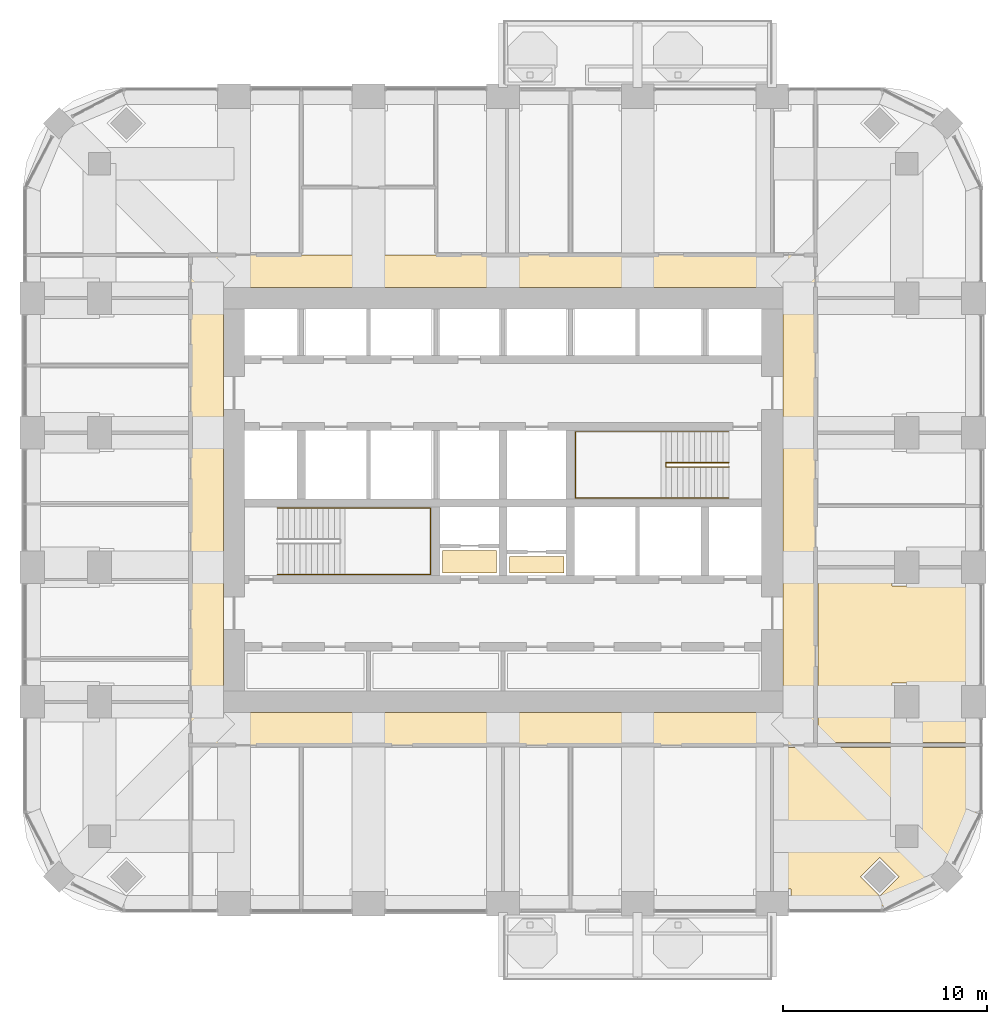
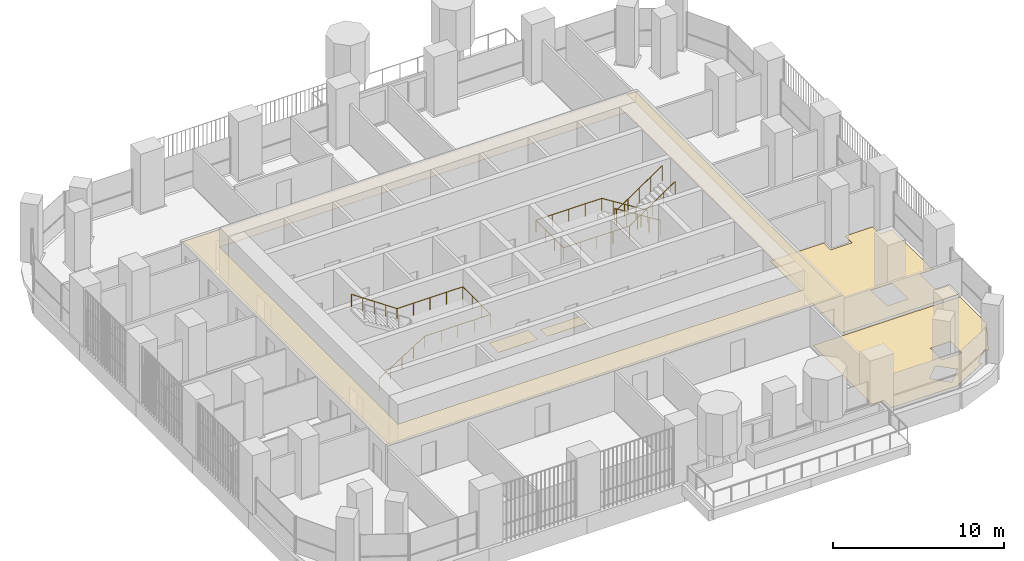
# One storey, part 18 of 20: 5 coverings, 3 railings.
"""IFC4 building model written with IfcOpenShell, lengths in metres."""

from ifc_helpers import new_model, si_unit, direction, frame, origin, place, context, subcontext, project, spatial, polyline, outline, extrude, material, layer, layer_set, type_object, element, save


model = new_model("IFC4")

# Units and contexts
model_context = context("Model", 3, precision=1e-05, world=origin(), true_north=direction((0.0, 1.0)))
body_context = subcontext(model_context, "Body", "Model", "MODEL_VIEW")
ifc_project = project(units=[si_unit("LENGTHUNIT", "METRE"), si_unit("AREAUNIT", "SQUARE_METRE"), si_unit("VOLUMEUNIT", "CUBIC_METRE"), si_unit("PLANEANGLEUNIT", "RADIAN"), si_unit("MASSUNIT", "GRAM", prefix="KILO")], contexts=[model_context])

# Site, building, storey
site_placement = place(None, origin())
site = spatial("IfcSite", under=ifc_project, at=site_placement, CompositionType="ELEMENT")
building_placement = place(site_placement, origin())
building = spatial("IfcBuilding", under=site, at=building_placement, Name="Cobogo Forest Laboratory Tower", CompositionType="ELEMENT")
storey_placement = place(building_placement, frame((0.0, 0.0, 214.5)))
storey = spatial("IfcBuildingStorey", under=building, at=storey_placement, Name="L49", CompositionType="ELEMENT", Elevation=214.5)

# Coverings
ifc_material_1 = material(Name="Mineral fibre ceiling tile", Category="ceiling")
ifc_layer_1 = layer(ifc_material_1, 0.02001953125)
ifc_layer_set_1 = layer_set([ifc_layer_1], Name="CL1 suspended ceiling")
covering_type_1 = type_object("IfcCoveringType", Name="CL1 suspended ceiling", PredefinedType="CEILING", material=ifc_layer_set_1)
covering_1_placement = place(storey_placement, frame((0.0, 0.0, 2.800048828125)))
element("IfcCovering", 1, at=covering_1_placement, inside=storey, type_object=covering_type_1, Name="Corridor ceiling L49", PredefinedType="CEILING", context=body_context, shape_type="SweptSolid", body=[
    extrude(outline(polyline([(11.074951171875, 11.074951171875), (11.074951171875, 35.125), (41.72509765625, 35.125), (41.72509765625, 11.074951171875), (11.074951171875, 11.074951171875)]), holes=[polyline([(40.125, 33.52490234375), (12.675048828125, 33.52490234375), (12.675048828125, 12.675048828125), (40.125, 12.675048828125), (40.125, 33.52490234375)])]), origin(), (0.0, 0.0, 1.0), 0.02001953125),
])
ifc_material_2 = material(Name="Carpet tile on raised access floor", Category="flooring")
ifc_layer_2 = layer(ifc_material_2, 0.008056640625)
ifc_layer_set_2 = layer_set([ifc_layer_2], Name="CT1 carpet tile floor 8")
covering_type_2 = type_object("IfcCoveringType", Name="CT1 carpet tile floor 8", PredefinedType="FLOORING", material=ifc_layer_set_2)
covering_2_placement = place(storey_placement, origin())
element("IfcCovering", 2, at=covering_2_placement, inside=storey, type_object=covering_type_2, Name="Carpet floor L49-05", PredefinedType="FLOORING", context=body_context, shape_type="SweptSolid", body=[
    extrude(outline(polyline([(49.64990234375, 10.955078125), (49.64990234375, 7.84912109375), (48.359619140625, 5.387939453125), (48.181884765625, 5.5654296875), (47.234375, 4.617919921875), (47.412109375, 4.440185546875), (44.95068359375, 3.14990234375), (40.52001953125, 3.14990234375), (40.52001953125, 4.02001953125), (39.719970703125, 4.02001953125), (39.719970703125, 10.955078125), (49.64990234375, 10.955078125)]), holes=[polyline([(45.530029296875, 5.929931640625), (46.8701171875, 5.929931640625), (46.8701171875, 7.27001953125), (45.530029296875, 7.27001953125), (45.530029296875, 5.929931640625)]), polyline([(44.882080078125, 3.67041015625), (45.82958984375, 4.617919921875), (44.882080078125, 5.5654296875), (43.9345703125, 4.617919921875), (44.882080078125, 3.67041015625)])]), origin(), (0.0, 0.0, 1.0), 0.008056640625),
])
covering_3_placement = place(storey_placement, origin())
element("IfcCovering", 3, at=covering_3_placement, inside=storey, type_object=covering_type_2, Name="Carpet floor L49-06", PredefinedType="FLOORING", context=body_context, shape_type="SweptSolid", body=[
    extrude(outline(polyline([(41.844970703125, 19.679931640625), (45.47998046875, 19.679931640625), (45.47998046875, 18.8798828125), (46.919921875, 18.8798828125), (46.919921875, 19.679931640625), (48.780029296875, 19.679931640625), (48.780029296875, 18.8798828125), (49.64990234375, 18.8798828125), (49.64990234375, 14.1201171875), (48.780029296875, 14.1201171875), (48.780029296875, 12.280029296875), (49.64990234375, 12.280029296875), (49.64990234375, 11.195068359375), (41.844970703125, 11.195068359375), (41.844970703125, 19.679931640625)]), holes=[polyline([(46.919921875, 12.280029296875), (46.919921875, 14.1201171875), (45.47998046875, 14.1201171875), (45.47998046875, 12.280029296875), (46.919921875, 12.280029296875)])]), origin(), (0.0, 0.0, 1.0), 0.008056640625),
])
covering_4_placement = place(storey_placement, origin())
element("IfcCovering", 4, at=covering_4_placement, inside=storey, type_object=covering_type_2, Name="Carpet floor L49-30", PredefinedType="FLOORING", context=body_context, shape_type="SweptSolid", body=[
    extrude(outline(polyline([(26.080078125, 19.52001953125), (23.419921875, 19.52001953125), (23.419921875, 20.6298828125), (26.080078125, 20.6298828125), (26.080078125, 19.52001953125)])), origin(), (0.0, 0.0, 1.0), 0.008056640625),
])
covering_5_placement = place(storey_placement, origin())
element("IfcCovering", 5, at=covering_5_placement, inside=storey, type_object=covering_type_2, Name="Carpet floor L49-32", PredefinedType="FLOORING", context=body_context, shape_type="SweptSolid", body=[
    extrude(outline(polyline([(29.3798828125, 19.52001953125), (26.719970703125, 19.52001953125), (26.719970703125, 20.330078125), (29.3798828125, 20.330078125), (29.3798828125, 19.52001953125)])), origin(), (0.0, 0.0, 1.0), 0.008056640625),
])

# Railings
ifc_material_3 = material(Name="Steel balustrade", Category="steel")
railing_type_1 = type_object("IfcRailingType", Name="GR stair guard 1100", PredefinedType="GUARDRAIL", material=ifc_material_3)
railing_1_placement = place(storey_placement, frame((37.47509765625, 24.929931640625, 0.175048828125)))
element("IfcRailing", 6, at=railing_1_placement, inside=storey, type_object=railing_type_1, Name="Stair guard ST2 L49", PredefinedType="GUARDRAIL", context=body_context, shape_type="SweptSolid", body=[
    extrude(outline(polyline([(0.022216796875, 0.00927734375), (0.00927734375, 0.022216796875), (-0.00927734375, 0.022216796875), (-0.022216796875, 0.00927734375), (-0.022216796875, -0.00927734375), (-0.00927734375, -0.022216796875), (0.00927734375, -0.022216796875), (0.022216796875, -0.00927734375), (0.022216796875, 0.00927734375)])), frame((0.0, 0.0, 1.077880859375), z_axis=(-0.847998304005, 0.0, 0.529998940003), x_axis=(0.0, -1.0, 0.0)), (0.0, 0.0, 1.0), 3.632080078125),
    extrude(outline(polyline([(0.022216796875, 0.00927734375), (0.00927734375, 0.022216796875), (-0.00927734375, 0.022216796875), (-0.022216796875, 0.00927734375), (-0.022216796875, -0.00927734375), (-0.00927734375, -0.022216796875), (0.00927734375, -0.022216796875), (0.022216796875, -0.00927734375), (0.022216796875, 0.00927734375)])), frame((-3.080078125, 0.0, 3.0029296875), z_axis=(0.0, -1.0, 0.0), x_axis=(1.0, 0.0, 0.0)), (0.0, 0.0, 1.0), 0.2099609375),
    extrude(outline(polyline([(0.022216796875, 0.00927734375), (0.00927734375, 0.022216796875), (-0.00927734375, 0.022216796875), (-0.022216796875, 0.00927734375), (-0.022216796875, -0.00927734375), (-0.00927734375, -0.022216796875), (0.00927734375, -0.022216796875), (0.022216796875, -0.00927734375), (0.022216796875, 0.00927734375)])), frame((-3.080078125, -0.2099609375, 3.0029296875), z_axis=(0.826252282691, 0.0, 0.563300244406), x_axis=(0.0, 1.0, 0.0)), (0.0, 0.0, 1.0), 3.727783203125),
    extrude(outline(polyline([(0.019287109375, 0.008056640625), (0.008056640625, 0.019287109375), (-0.008056640625, 0.019287109375), (-0.019287109375, 0.008056640625), (-0.019287109375, -0.008056640625), (-0.008056640625, -0.019287109375), (0.008056640625, -0.019287109375), (0.019287109375, -0.008056640625), (0.019287109375, 0.008056640625)])), origin(), (0.0, 0.0, 1.0), 1.077880859375),
    extrude(outline(polyline([(0.019287109375, 0.008056640625), (0.008056640625, 0.019287109375), (-0.008056640625, 0.019287109375), (-0.019287109375, 0.008056640625), (-0.019287109375, -0.008056640625), (-0.008056640625, -0.019287109375), (0.008056640625, -0.019287109375), (0.019287109375, -0.008056640625), (0.019287109375, 0.008056640625)])), frame((-0.77001953125, 0.0, 0.481201171875)), (0.0, 0.0, 1.0), 1.077880859375),
    extrude(outline(polyline([(0.019287109375, 0.008056640625), (0.008056640625, 0.019287109375), (-0.008056640625, 0.019287109375), (-0.019287109375, 0.008056640625), (-0.019287109375, -0.008056640625), (-0.008056640625, -0.019287109375), (0.008056640625, -0.019287109375), (0.019287109375, -0.008056640625), (0.019287109375, 0.008056640625)])), frame((-1.5400390625, 0.0, 0.96240234375)), (0.0, 0.0, 1.0), 1.077880859375),
    extrude(outline(polyline([(0.019287109375, 0.008056640625), (0.008056640625, 0.019287109375), (-0.008056640625, 0.019287109375), (-0.019287109375, 0.008056640625), (-0.019287109375, -0.008056640625), (-0.008056640625, -0.019287109375), (0.008056640625, -0.019287109375), (0.019287109375, -0.008056640625), (0.019287109375, 0.008056640625)])), frame((-2.31005859375, 0.0, 1.44384765625)), (0.0, 0.0, 1.0), 1.077880859375),
    extrude(outline(polyline([(0.019287109375, 0.008056640625), (0.008056640625, 0.019287109375), (-0.008056640625, 0.019287109375), (-0.019287109375, 0.008056640625), (-0.019287109375, -0.008056640625), (-0.008056640625, -0.019287109375), (0.008056640625, -0.019287109375), (0.019287109375, -0.008056640625), (0.019287109375, 0.008056640625)])), frame((-3.080078125, 0.0, 1.925048828125)), (0.0, 0.0, 1.0), 1.077880859375),
    extrude(outline(polyline([(0.019287109375, 0.008056640625), (0.008056640625, 0.019287109375), (-0.008056640625, 0.019287109375), (-0.019287109375, 0.008056640625), (-0.019287109375, -0.008056640625), (-0.008056640625, -0.019287109375), (0.008056640625, -0.019287109375), (0.019287109375, -0.008056640625), (0.019287109375, 0.008056640625)])), frame((-3.080078125, -0.2099609375, 1.925048828125)), (0.0, 0.0, 1.0), 1.077880859375),
    extrude(outline(polyline([(0.019287109375, 0.008056640625), (0.008056640625, 0.019287109375), (-0.008056640625, 0.019287109375), (-0.019287109375, 0.008056640625), (-0.019287109375, -0.008056640625), (-0.008056640625, -0.019287109375), (0.008056640625, -0.019287109375), (0.019287109375, -0.008056640625), (0.019287109375, 0.008056640625)])), frame((-2.31005859375, -0.2099609375, 2.449951171875)), (0.0, 0.0, 1.0), 1.077880859375),
    extrude(outline(polyline([(0.019287109375, 0.008056640625), (0.008056640625, 0.019287109375), (-0.008056640625, 0.019287109375), (-0.019287109375, 0.008056640625), (-0.019287109375, -0.008056640625), (-0.008056640625, -0.019287109375), (0.008056640625, -0.019287109375), (0.019287109375, -0.008056640625), (0.019287109375, 0.008056640625)])), frame((-1.5400390625, -0.2099609375, 2.97509765625)), (0.0, 0.0, 1.0), 1.077880859375),
    extrude(outline(polyline([(0.019287109375, 0.008056640625), (0.008056640625, 0.019287109375), (-0.008056640625, 0.019287109375), (-0.019287109375, 0.008056640625), (-0.019287109375, -0.008056640625), (-0.008056640625, -0.019287109375), (0.008056640625, -0.019287109375), (0.019287109375, -0.008056640625), (0.019287109375, 0.008056640625)])), frame((-0.77001953125, -0.2099609375, 3.5)), (0.0, 0.0, 1.0), 1.077880859375),
    extrude(outline(polyline([(0.019287109375, 0.008056640625), (0.008056640625, 0.019287109375), (-0.008056640625, 0.019287109375), (-0.019287109375, 0.008056640625), (-0.019287109375, -0.008056640625), (-0.008056640625, -0.019287109375), (0.008056640625, -0.019287109375), (0.019287109375, -0.008056640625), (0.019287109375, 0.008056640625)])), frame((0.0, -0.2099609375, 4.02490234375)), (0.0, 0.0, 1.0), 1.077880859375),
])
ifc_material_4 = material(Name="Stainless steel handrail", Category="steel")
railing_type_2 = type_object("IfcRailingType", Name="HR handrail 900", PredefinedType="HANDRAIL", material=ifc_material_4)
railing_2_placement = place(storey_placement, frame((15.324951171875, 19.449951171875, 0.175048828125)))
element("IfcRailing", 7, at=railing_2_placement, inside=storey, type_object=railing_type_2, Name="Stair handrail ST1 L49", PredefinedType="HANDRAIL", context=body_context, shape_type="SweptSolid", body=[
    extrude(outline(polyline([(0.022216796875, 0.00927734375), (0.00927734375, 0.022216796875), (-0.00927734375, 0.022216796875), (-0.022216796875, 0.00927734375), (-0.022216796875, -0.00927734375), (-0.00927734375, -0.022216796875), (0.00927734375, -0.022216796875), (0.022216796875, -0.00927734375), (0.022216796875, 0.00927734375)])), frame((0.0, 0.0, 0.877685546875), z_axis=(0.847998304005, 0.0, 0.529998940003), x_axis=(0.0, 1.0, 0.0)), (0.0, 0.0, 1.0), 3.632080078125),
    extrude(outline(polyline([(0.022216796875, 0.00927734375), (0.00927734375, 0.022216796875), (-0.00927734375, 0.022216796875), (-0.022216796875, 0.00927734375), (-0.022216796875, -0.00927734375), (-0.00927734375, -0.022216796875), (0.00927734375, -0.022216796875), (0.022216796875, -0.00927734375), (0.022216796875, 0.00927734375)])), frame((3.080078125, 0.0, 2.802734375), z_axis=(1.0, 0.0, 0.0), x_axis=(0.0, 1.0, 0.0)), (0.0, 0.0, 1.0), 4.445068359375),
    extrude(outline(polyline([(0.022216796875, 0.00927734375), (0.00927734375, 0.022216796875), (-0.00927734375, 0.022216796875), (-0.022216796875, 0.00927734375), (-0.022216796875, -0.00927734375), (-0.00927734375, -0.022216796875), (0.00927734375, -0.022216796875), (0.022216796875, -0.00927734375), (0.022216796875, 0.00927734375)])), frame((7.525146484375, 0.0, 2.802734375), z_axis=(0.0, 1.0, 0.0), x_axis=(-1.0, 0.0, 0.0)), (0.0, 0.0, 1.0), 3.25),
    extrude(outline(polyline([(0.022216796875, 0.00927734375), (0.00927734375, 0.022216796875), (-0.00927734375, 0.022216796875), (-0.022216796875, 0.00927734375), (-0.022216796875, -0.00927734375), (-0.00927734375, -0.022216796875), (0.00927734375, -0.022216796875), (0.022216796875, -0.00927734375), (0.022216796875, 0.00927734375)])), frame((7.525146484375, 3.25, 2.802734375), z_axis=(-1.0, 0.0, 0.0), x_axis=(0.0, -1.0, 0.0)), (0.0, 0.0, 1.0), 4.445068359375),
    extrude(outline(polyline([(0.022216796875, 0.00927734375), (0.00927734375, 0.022216796875), (-0.00927734375, 0.022216796875), (-0.022216796875, 0.00927734375), (-0.022216796875, -0.00927734375), (-0.00927734375, -0.022216796875), (0.00927734375, -0.022216796875), (0.022216796875, -0.00927734375), (0.022216796875, 0.00927734375)])), frame((3.080078125, 3.25, 2.802734375), z_axis=(-0.826252282691, 0.0, 0.563300244406), x_axis=(0.0, -1.0, 0.0)), (0.0, 0.0, 1.0), 3.727783203125),
    extrude(outline(polyline([(0.019287109375, 0.008056640625), (0.008056640625, 0.019287109375), (-0.008056640625, 0.019287109375), (-0.019287109375, 0.008056640625), (-0.019287109375, -0.008056640625), (-0.008056640625, -0.019287109375), (0.008056640625, -0.019287109375), (0.019287109375, -0.008056640625), (0.019287109375, 0.008056640625)])), origin(), (0.0, 0.0, 1.0), 0.877685546875),
    extrude(outline(polyline([(0.019287109375, 0.008056640625), (0.008056640625, 0.019287109375), (-0.008056640625, 0.019287109375), (-0.019287109375, 0.008056640625), (-0.019287109375, -0.008056640625), (-0.008056640625, -0.019287109375), (0.008056640625, -0.019287109375), (0.019287109375, -0.008056640625), (0.019287109375, 0.008056640625)])), frame((0.77001953125, 0.0, 0.481201171875)), (0.0, 0.0, 1.0), 0.877685546875),
    extrude(outline(polyline([(0.019287109375, 0.008056640625), (0.008056640625, 0.019287109375), (-0.008056640625, 0.019287109375), (-0.019287109375, 0.008056640625), (-0.019287109375, -0.008056640625), (-0.008056640625, -0.019287109375), (0.008056640625, -0.019287109375), (0.019287109375, -0.008056640625), (0.019287109375, 0.008056640625)])), frame((1.5400390625, 0.0, 0.96240234375)), (0.0, 0.0, 1.0), 0.877685546875),
    extrude(outline(polyline([(0.019287109375, 0.008056640625), (0.008056640625, 0.019287109375), (-0.008056640625, 0.019287109375), (-0.019287109375, 0.008056640625), (-0.019287109375, -0.008056640625), (-0.008056640625, -0.019287109375), (0.008056640625, -0.019287109375), (0.019287109375, -0.008056640625), (0.019287109375, 0.008056640625)])), frame((2.31005859375, 0.0, 1.44384765625)), (0.0, 0.0, 1.0), 0.877685546875),
    extrude(outline(polyline([(0.019287109375, 0.008056640625), (0.008056640625, 0.019287109375), (-0.008056640625, 0.019287109375), (-0.019287109375, 0.008056640625), (-0.019287109375, -0.008056640625), (-0.008056640625, -0.019287109375), (0.008056640625, -0.019287109375), (0.019287109375, -0.008056640625), (0.019287109375, 0.008056640625)])), frame((3.080078125, 0.0, 1.925048828125)), (0.0, 0.0, 1.0), 0.877685546875),
    extrude(outline(polyline([(0.019287109375, 0.008056640625), (0.008056640625, 0.019287109375), (-0.008056640625, 0.019287109375), (-0.019287109375, 0.008056640625), (-0.019287109375, -0.008056640625), (-0.008056640625, -0.019287109375), (0.008056640625, -0.019287109375), (0.019287109375, -0.008056640625), (0.019287109375, 0.008056640625)])), frame((4.19140625, 0.0, 1.925048828125)), (0.0, 0.0, 1.0), 0.877685546875),
    extrude(outline(polyline([(0.019287109375, 0.008056640625), (0.008056640625, 0.019287109375), (-0.008056640625, 0.019287109375), (-0.019287109375, 0.008056640625), (-0.019287109375, -0.008056640625), (-0.008056640625, -0.019287109375), (0.008056640625, -0.019287109375), (0.019287109375, -0.008056640625), (0.019287109375, 0.008056640625)])), frame((5.302734375, 0.0, 1.925048828125)), (0.0, 0.0, 1.0), 0.877685546875),
    extrude(outline(polyline([(0.019287109375, 0.008056640625), (0.008056640625, 0.019287109375), (-0.008056640625, 0.019287109375), (-0.019287109375, 0.008056640625), (-0.019287109375, -0.008056640625), (-0.008056640625, -0.019287109375), (0.008056640625, -0.019287109375), (0.019287109375, -0.008056640625), (0.019287109375, 0.008056640625)])), frame((6.413818359375, 0.0, 1.925048828125)), (0.0, 0.0, 1.0), 0.877685546875),
    extrude(outline(polyline([(0.019287109375, 0.008056640625), (0.008056640625, 0.019287109375), (-0.008056640625, 0.019287109375), (-0.019287109375, 0.008056640625), (-0.019287109375, -0.008056640625), (-0.008056640625, -0.019287109375), (0.008056640625, -0.019287109375), (0.019287109375, -0.008056640625), (0.019287109375, 0.008056640625)])), frame((7.525146484375, 0.0, 1.925048828125)), (0.0, 0.0, 1.0), 0.877685546875),
    extrude(outline(polyline([(0.019287109375, 0.008056640625), (0.008056640625, 0.019287109375), (-0.008056640625, 0.019287109375), (-0.019287109375, 0.008056640625), (-0.019287109375, -0.008056640625), (-0.008056640625, -0.019287109375), (0.008056640625, -0.019287109375), (0.019287109375, -0.008056640625), (0.019287109375, 0.008056640625)])), frame((7.525146484375, 1.083251953125, 1.925048828125)), (0.0, 0.0, 1.0), 0.877685546875),
    extrude(outline(polyline([(0.019287109375, 0.008056640625), (0.008056640625, 0.019287109375), (-0.008056640625, 0.019287109375), (-0.019287109375, 0.008056640625), (-0.019287109375, -0.008056640625), (-0.008056640625, -0.019287109375), (0.008056640625, -0.019287109375), (0.019287109375, -0.008056640625), (0.019287109375, 0.008056640625)])), frame((7.525146484375, 2.166748046875, 1.925048828125)), (0.0, 0.0, 1.0), 0.877685546875),
    extrude(outline(polyline([(0.019287109375, 0.008056640625), (0.008056640625, 0.019287109375), (-0.008056640625, 0.019287109375), (-0.019287109375, 0.008056640625), (-0.019287109375, -0.008056640625), (-0.008056640625, -0.019287109375), (0.008056640625, -0.019287109375), (0.019287109375, -0.008056640625), (0.019287109375, 0.008056640625)])), frame((7.525146484375, 3.25, 1.925048828125)), (0.0, 0.0, 1.0), 0.877685546875),
    extrude(outline(polyline([(0.019287109375, 0.008056640625), (0.008056640625, 0.019287109375), (-0.008056640625, 0.019287109375), (-0.019287109375, 0.008056640625), (-0.019287109375, -0.008056640625), (-0.008056640625, -0.019287109375), (0.008056640625, -0.019287109375), (0.019287109375, -0.008056640625), (0.019287109375, 0.008056640625)])), frame((6.413818359375, 3.25, 1.925048828125)), (0.0, 0.0, 1.0), 0.877685546875),
    extrude(outline(polyline([(0.019287109375, 0.008056640625), (0.008056640625, 0.019287109375), (-0.008056640625, 0.019287109375), (-0.019287109375, 0.008056640625), (-0.019287109375, -0.008056640625), (-0.008056640625, -0.019287109375), (0.008056640625, -0.019287109375), (0.019287109375, -0.008056640625), (0.019287109375, 0.008056640625)])), frame((5.302734375, 3.25, 1.925048828125)), (0.0, 0.0, 1.0), 0.877685546875),
    extrude(outline(polyline([(0.019287109375, 0.008056640625), (0.008056640625, 0.019287109375), (-0.008056640625, 0.019287109375), (-0.019287109375, 0.008056640625), (-0.019287109375, -0.008056640625), (-0.008056640625, -0.019287109375), (0.008056640625, -0.019287109375), (0.019287109375, -0.008056640625), (0.019287109375, 0.008056640625)])), frame((4.19140625, 3.25, 1.925048828125)), (0.0, 0.0, 1.0), 0.877685546875),
    extrude(outline(polyline([(0.019287109375, 0.008056640625), (0.008056640625, 0.019287109375), (-0.008056640625, 0.019287109375), (-0.019287109375, 0.008056640625), (-0.019287109375, -0.008056640625), (-0.008056640625, -0.019287109375), (0.008056640625, -0.019287109375), (0.019287109375, -0.008056640625), (0.019287109375, 0.008056640625)])), frame((3.080078125, 3.25, 1.925048828125)), (0.0, 0.0, 1.0), 0.877685546875),
    extrude(outline(polyline([(0.019287109375, 0.008056640625), (0.008056640625, 0.019287109375), (-0.008056640625, 0.019287109375), (-0.019287109375, 0.008056640625), (-0.019287109375, -0.008056640625), (-0.008056640625, -0.019287109375), (0.008056640625, -0.019287109375), (0.019287109375, -0.008056640625), (0.019287109375, 0.008056640625)])), frame((2.31005859375, 3.25, 2.449951171875)), (0.0, 0.0, 1.0), 0.877685546875),
    extrude(outline(polyline([(0.019287109375, 0.008056640625), (0.008056640625, 0.019287109375), (-0.008056640625, 0.019287109375), (-0.019287109375, 0.008056640625), (-0.019287109375, -0.008056640625), (-0.008056640625, -0.019287109375), (0.008056640625, -0.019287109375), (0.019287109375, -0.008056640625), (0.019287109375, 0.008056640625)])), frame((1.5400390625, 3.25, 2.97509765625)), (0.0, 0.0, 1.0), 0.877685546875),
    extrude(outline(polyline([(0.019287109375, 0.008056640625), (0.008056640625, 0.019287109375), (-0.008056640625, 0.019287109375), (-0.019287109375, 0.008056640625), (-0.019287109375, -0.008056640625), (-0.008056640625, -0.019287109375), (0.008056640625, -0.019287109375), (0.019287109375, -0.008056640625), (0.019287109375, 0.008056640625)])), frame((0.77001953125, 3.25, 3.5)), (0.0, 0.0, 1.0), 0.877685546875),
    extrude(outline(polyline([(0.019287109375, 0.008056640625), (0.008056640625, 0.019287109375), (-0.008056640625, 0.019287109375), (-0.019287109375, 0.008056640625), (-0.019287109375, -0.008056640625), (-0.008056640625, -0.019287109375), (0.008056640625, -0.019287109375), (0.019287109375, -0.008056640625), (0.019287109375, 0.008056640625)])), frame((0.0, 3.25, 4.02490234375)), (0.0, 0.0, 1.0), 0.877685546875),
])
railing_3_placement = place(storey_placement, frame((37.47509765625, 26.449951171875, 0.175048828125)))
element("IfcRailing", 8, at=railing_3_placement, inside=storey, type_object=railing_type_2, Name="Stair handrail ST2 L49", PredefinedType="HANDRAIL", context=body_context, shape_type="SweptSolid", body=[
    extrude(outline(polyline([(0.022216796875, 0.00927734375), (0.00927734375, 0.022216796875), (-0.00927734375, 0.022216796875), (-0.022216796875, 0.00927734375), (-0.022216796875, -0.00927734375), (-0.00927734375, -0.022216796875), (0.00927734375, -0.022216796875), (0.022216796875, -0.00927734375), (0.022216796875, 0.00927734375)])), frame((0.0, 0.0, 0.877685546875), z_axis=(-0.847998304005, 0.0, 0.529998940003), x_axis=(0.0, -1.0, 0.0)), (0.0, 0.0, 1.0), 3.632080078125),
    extrude(outline(polyline([(0.022216796875, 0.00927734375), (0.00927734375, 0.022216796875), (-0.00927734375, 0.022216796875), (-0.022216796875, 0.00927734375), (-0.022216796875, -0.00927734375), (-0.00927734375, -0.022216796875), (0.00927734375, -0.022216796875), (0.022216796875, -0.00927734375), (0.022216796875, 0.00927734375)])), frame((-3.080078125, 0.0, 2.802734375), z_axis=(-1.0, 0.0, 0.0), x_axis=(0.0, -1.0, 0.0)), (0.0, 0.0, 1.0), 4.445068359375),
    extrude(outline(polyline([(0.022216796875, 0.00927734375), (0.00927734375, 0.022216796875), (-0.00927734375, 0.022216796875), (-0.022216796875, 0.00927734375), (-0.022216796875, -0.00927734375), (-0.00927734375, -0.022216796875), (0.00927734375, -0.022216796875), (0.022216796875, -0.00927734375), (0.022216796875, 0.00927734375)])), frame((-7.525146484375, 0.0, 2.802734375), z_axis=(0.0, -1.0, 0.0), x_axis=(1.0, 0.0, 0.0)), (0.0, 0.0, 1.0), 3.25),
    extrude(outline(polyline([(0.022216796875, 0.00927734375), (0.00927734375, 0.022216796875), (-0.00927734375, 0.022216796875), (-0.022216796875, 0.00927734375), (-0.022216796875, -0.00927734375), (-0.00927734375, -0.022216796875), (0.00927734375, -0.022216796875), (0.022216796875, -0.00927734375), (0.022216796875, 0.00927734375)])), frame((-7.525146484375, -3.25, 2.802734375), z_axis=(1.0, 0.0, 0.0), x_axis=(0.0, 1.0, 0.0)), (0.0, 0.0, 1.0), 4.445068359375),
    extrude(outline(polyline([(0.022216796875, 0.00927734375), (0.00927734375, 0.022216796875), (-0.00927734375, 0.022216796875), (-0.022216796875, 0.00927734375), (-0.022216796875, -0.00927734375), (-0.00927734375, -0.022216796875), (0.00927734375, -0.022216796875), (0.022216796875, -0.00927734375), (0.022216796875, 0.00927734375)])), frame((-3.080078125, -3.25, 2.802734375), z_axis=(0.826252282691, 0.0, 0.563300244406), x_axis=(0.0, 1.0, 0.0)), (0.0, 0.0, 1.0), 3.727783203125),
    extrude(outline(polyline([(0.019287109375, 0.008056640625), (0.008056640625, 0.019287109375), (-0.008056640625, 0.019287109375), (-0.019287109375, 0.008056640625), (-0.019287109375, -0.008056640625), (-0.008056640625, -0.019287109375), (0.008056640625, -0.019287109375), (0.019287109375, -0.008056640625), (0.019287109375, 0.008056640625)])), origin(), (0.0, 0.0, 1.0), 0.877685546875),
    extrude(outline(polyline([(0.019287109375, 0.008056640625), (0.008056640625, 0.019287109375), (-0.008056640625, 0.019287109375), (-0.019287109375, 0.008056640625), (-0.019287109375, -0.008056640625), (-0.008056640625, -0.019287109375), (0.008056640625, -0.019287109375), (0.019287109375, -0.008056640625), (0.019287109375, 0.008056640625)])), frame((-0.77001953125, 0.0, 0.481201171875)), (0.0, 0.0, 1.0), 0.877685546875),
    extrude(outline(polyline([(0.019287109375, 0.008056640625), (0.008056640625, 0.019287109375), (-0.008056640625, 0.019287109375), (-0.019287109375, 0.008056640625), (-0.019287109375, -0.008056640625), (-0.008056640625, -0.019287109375), (0.008056640625, -0.019287109375), (0.019287109375, -0.008056640625), (0.019287109375, 0.008056640625)])), frame((-1.5400390625, 0.0, 0.96240234375)), (0.0, 0.0, 1.0), 0.877685546875),
    extrude(outline(polyline([(0.019287109375, 0.008056640625), (0.008056640625, 0.019287109375), (-0.008056640625, 0.019287109375), (-0.019287109375, 0.008056640625), (-0.019287109375, -0.008056640625), (-0.008056640625, -0.019287109375), (0.008056640625, -0.019287109375), (0.019287109375, -0.008056640625), (0.019287109375, 0.008056640625)])), frame((-2.31005859375, 0.0, 1.44384765625)), (0.0, 0.0, 1.0), 0.877685546875),
    extrude(outline(polyline([(0.019287109375, 0.008056640625), (0.008056640625, 0.019287109375), (-0.008056640625, 0.019287109375), (-0.019287109375, 0.008056640625), (-0.019287109375, -0.008056640625), (-0.008056640625, -0.019287109375), (0.008056640625, -0.019287109375), (0.019287109375, -0.008056640625), (0.019287109375, 0.008056640625)])), frame((-3.080078125, 0.0, 1.925048828125)), (0.0, 0.0, 1.0), 0.877685546875),
    extrude(outline(polyline([(0.019287109375, 0.008056640625), (0.008056640625, 0.019287109375), (-0.008056640625, 0.019287109375), (-0.019287109375, 0.008056640625), (-0.019287109375, -0.008056640625), (-0.008056640625, -0.019287109375), (0.008056640625, -0.019287109375), (0.019287109375, -0.008056640625), (0.019287109375, 0.008056640625)])), frame((-4.19140625, 0.0, 1.925048828125)), (0.0, 0.0, 1.0), 0.877685546875),
    extrude(outline(polyline([(0.019287109375, 0.008056640625), (0.008056640625, 0.019287109375), (-0.008056640625, 0.019287109375), (-0.019287109375, 0.008056640625), (-0.019287109375, -0.008056640625), (-0.008056640625, -0.019287109375), (0.008056640625, -0.019287109375), (0.019287109375, -0.008056640625), (0.019287109375, 0.008056640625)])), frame((-5.302734375, 0.0, 1.925048828125)), (0.0, 0.0, 1.0), 0.877685546875),
    extrude(outline(polyline([(0.019287109375, 0.008056640625), (0.008056640625, 0.019287109375), (-0.008056640625, 0.019287109375), (-0.019287109375, 0.008056640625), (-0.019287109375, -0.008056640625), (-0.008056640625, -0.019287109375), (0.008056640625, -0.019287109375), (0.019287109375, -0.008056640625), (0.019287109375, 0.008056640625)])), frame((-6.413818359375, 0.0, 1.925048828125)), (0.0, 0.0, 1.0), 0.877685546875),
    extrude(outline(polyline([(0.019287109375, 0.008056640625), (0.008056640625, 0.019287109375), (-0.008056640625, 0.019287109375), (-0.019287109375, 0.008056640625), (-0.019287109375, -0.008056640625), (-0.008056640625, -0.019287109375), (0.008056640625, -0.019287109375), (0.019287109375, -0.008056640625), (0.019287109375, 0.008056640625)])), frame((-7.525146484375, 0.0, 1.925048828125)), (0.0, 0.0, 1.0), 0.877685546875),
    extrude(outline(polyline([(0.019287109375, 0.008056640625), (0.008056640625, 0.019287109375), (-0.008056640625, 0.019287109375), (-0.019287109375, 0.008056640625), (-0.019287109375, -0.008056640625), (-0.008056640625, -0.019287109375), (0.008056640625, -0.019287109375), (0.019287109375, -0.008056640625), (0.019287109375, 0.008056640625)])), frame((-7.525146484375, -1.083251953125, 1.925048828125)), (0.0, 0.0, 1.0), 0.877685546875),
    extrude(outline(polyline([(0.019287109375, 0.008056640625), (0.008056640625, 0.019287109375), (-0.008056640625, 0.019287109375), (-0.019287109375, 0.008056640625), (-0.019287109375, -0.008056640625), (-0.008056640625, -0.019287109375), (0.008056640625, -0.019287109375), (0.019287109375, -0.008056640625), (0.019287109375, 0.008056640625)])), frame((-7.525146484375, -2.166748046875, 1.925048828125)), (0.0, 0.0, 1.0), 0.877685546875),
    extrude(outline(polyline([(0.019287109375, 0.008056640625), (0.008056640625, 0.019287109375), (-0.008056640625, 0.019287109375), (-0.019287109375, 0.008056640625), (-0.019287109375, -0.008056640625), (-0.008056640625, -0.019287109375), (0.008056640625, -0.019287109375), (0.019287109375, -0.008056640625), (0.019287109375, 0.008056640625)])), frame((-7.525146484375, -3.25, 1.925048828125)), (0.0, 0.0, 1.0), 0.877685546875),
    extrude(outline(polyline([(0.019287109375, 0.008056640625), (0.008056640625, 0.019287109375), (-0.008056640625, 0.019287109375), (-0.019287109375, 0.008056640625), (-0.019287109375, -0.008056640625), (-0.008056640625, -0.019287109375), (0.008056640625, -0.019287109375), (0.019287109375, -0.008056640625), (0.019287109375, 0.008056640625)])), frame((-6.413818359375, -3.25, 1.925048828125)), (0.0, 0.0, 1.0), 0.877685546875),
    extrude(outline(polyline([(0.019287109375, 0.008056640625), (0.008056640625, 0.019287109375), (-0.008056640625, 0.019287109375), (-0.019287109375, 0.008056640625), (-0.019287109375, -0.008056640625), (-0.008056640625, -0.019287109375), (0.008056640625, -0.019287109375), (0.019287109375, -0.008056640625), (0.019287109375, 0.008056640625)])), frame((-5.302734375, -3.25, 1.925048828125)), (0.0, 0.0, 1.0), 0.877685546875),
    extrude(outline(polyline([(0.019287109375, 0.008056640625), (0.008056640625, 0.019287109375), (-0.008056640625, 0.019287109375), (-0.019287109375, 0.008056640625), (-0.019287109375, -0.008056640625), (-0.008056640625, -0.019287109375), (0.008056640625, -0.019287109375), (0.019287109375, -0.008056640625), (0.019287109375, 0.008056640625)])), frame((-4.19140625, -3.25, 1.925048828125)), (0.0, 0.0, 1.0), 0.877685546875),
    extrude(outline(polyline([(0.019287109375, 0.008056640625), (0.008056640625, 0.019287109375), (-0.008056640625, 0.019287109375), (-0.019287109375, 0.008056640625), (-0.019287109375, -0.008056640625), (-0.008056640625, -0.019287109375), (0.008056640625, -0.019287109375), (0.019287109375, -0.008056640625), (0.019287109375, 0.008056640625)])), frame((-3.080078125, -3.25, 1.925048828125)), (0.0, 0.0, 1.0), 0.877685546875),
    extrude(outline(polyline([(0.019287109375, 0.008056640625), (0.008056640625, 0.019287109375), (-0.008056640625, 0.019287109375), (-0.019287109375, 0.008056640625), (-0.019287109375, -0.008056640625), (-0.008056640625, -0.019287109375), (0.008056640625, -0.019287109375), (0.019287109375, -0.008056640625), (0.019287109375, 0.008056640625)])), frame((-2.31005859375, -3.25, 2.449951171875)), (0.0, 0.0, 1.0), 0.877685546875),
    extrude(outline(polyline([(0.019287109375, 0.008056640625), (0.008056640625, 0.019287109375), (-0.008056640625, 0.019287109375), (-0.019287109375, 0.008056640625), (-0.019287109375, -0.008056640625), (-0.008056640625, -0.019287109375), (0.008056640625, -0.019287109375), (0.019287109375, -0.008056640625), (0.019287109375, 0.008056640625)])), frame((-1.5400390625, -3.25, 2.97509765625)), (0.0, 0.0, 1.0), 0.877685546875),
    extrude(outline(polyline([(0.019287109375, 0.008056640625), (0.008056640625, 0.019287109375), (-0.008056640625, 0.019287109375), (-0.019287109375, 0.008056640625), (-0.019287109375, -0.008056640625), (-0.008056640625, -0.019287109375), (0.008056640625, -0.019287109375), (0.019287109375, -0.008056640625), (0.019287109375, 0.008056640625)])), frame((-0.77001953125, -3.25, 3.5)), (0.0, 0.0, 1.0), 0.877685546875),
    extrude(outline(polyline([(0.019287109375, 0.008056640625), (0.008056640625, 0.019287109375), (-0.008056640625, 0.019287109375), (-0.019287109375, 0.008056640625), (-0.019287109375, -0.008056640625), (-0.008056640625, -0.019287109375), (0.008056640625, -0.019287109375), (0.019287109375, -0.008056640625), (0.019287109375, 0.008056640625)])), frame((0.0, -3.25, 4.02490234375)), (0.0, 0.0, 1.0), 0.877685546875),
])

save(model, "model.ifc")
